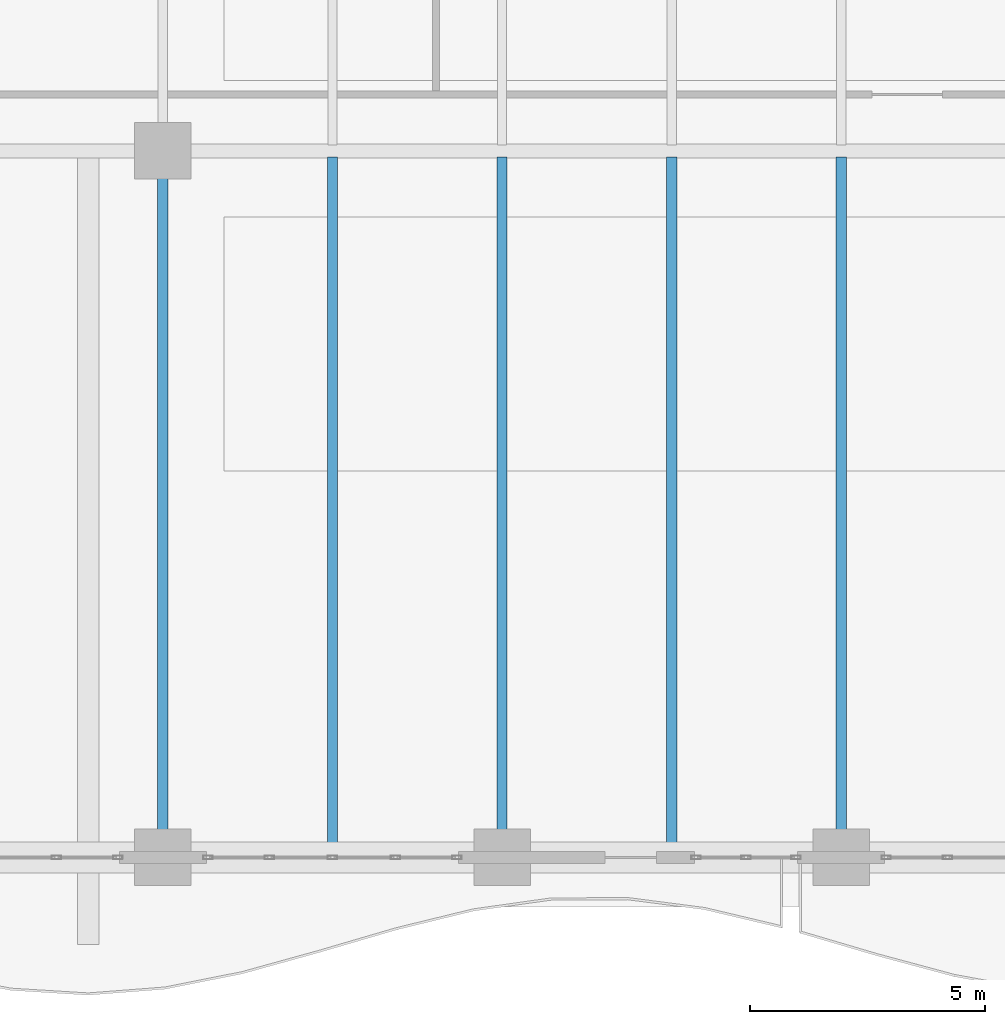
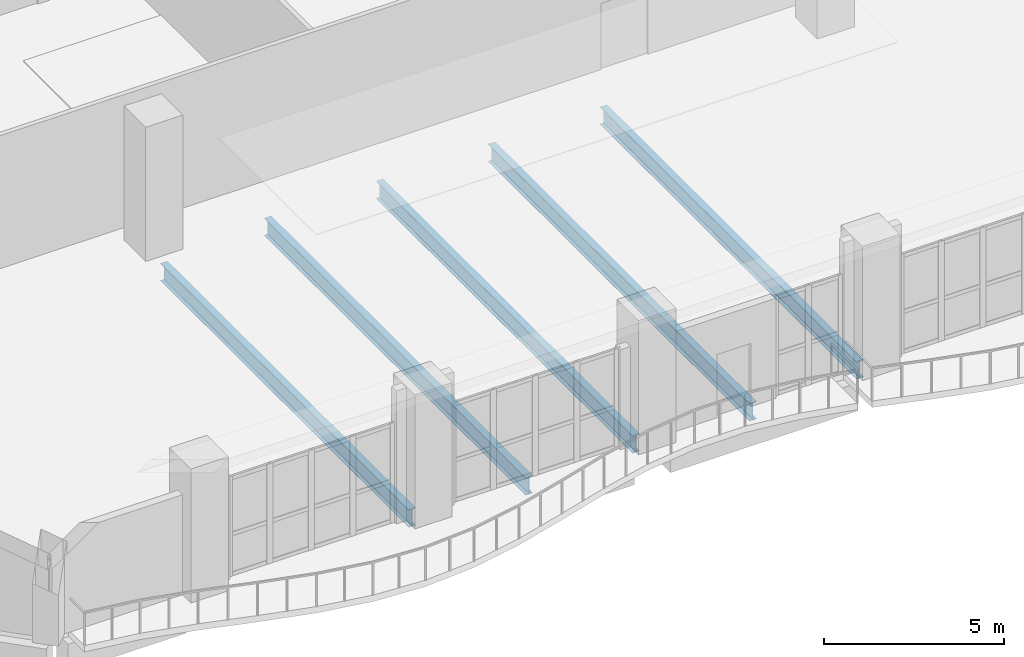
# One storey, part 6 of 37: 5 beams.
"""IFC4 building model written with IfcOpenShell, lengths in metres."""

from ifc_helpers import new_model, si_unit, direction, frame, origin, origin_2d, place, context, subcontext, project, spatial, i_section, extrude, material, material_profile, profile_set, type_object, element, save


model = new_model("IFC4")

# Units and contexts
model_context = context("Model", 3, precision=1e-05, world=origin(), true_north=direction((0.0, 1.0)))
body_context = subcontext(model_context, "Body", "Model", "MODEL_VIEW")
ifc_project = project(units=[si_unit("LENGTHUNIT", "METRE"), si_unit("AREAUNIT", "SQUARE_METRE"), si_unit("VOLUMEUNIT", "CUBIC_METRE"), si_unit("PLANEANGLEUNIT", "RADIAN"), si_unit("MASSUNIT", "GRAM", prefix="KILO")], contexts=[model_context])

# Site, building, storey
site_placement = place(None, origin())
site = spatial("IfcSite", under=ifc_project, at=site_placement, CompositionType="ELEMENT")
building_placement = place(site_placement, origin())
building = spatial("IfcBuilding", under=site, at=building_placement, Name="Kaelvorn Grand Hotel", CompositionType="ELEMENT")
storey_placement = place(building_placement, frame((0.0, 0.0, 130.550048828125)))
storey = spatial("IfcBuildingStorey", under=building, at=storey_placement, Name="L31", CompositionType="ELEMENT", Elevation=130.550048828125)

# Beams
ifc_material = material(Name="Steel S355", Category="steel")
ifc_material_profile = material_profile(ifc_material, i_section(OverallWidth=0.219970703125, OverallDepth=0.60009765625, WebThickness=0.011962890625, FlangeThickness=0.01904296875, FilletRadius=0.02392578125, at=origin_2d()), Name="IPE 600")
ifc_profile_set = profile_set([ifc_material_profile], Name="Steel S355")
beam_type = type_object("IfcBeamType", Name="BM-J-IPE600-S355", PredefinedType="JOIST", material=ifc_profile_set)
beam_1_placement = place(storey_placement, frame((16.199951171875, 0.5849609375, -0.5400390625), z_axis=(0.0, 1.0, 0.0), x_axis=(-1.0, 0.0, 0.0)))
element("IfcBeam", 1, at=beam_1_placement, inside=storey, type_object=beam_type, Name="L31 Composite Floor Joist JS-05", PredefinedType="JOIST", context=body_context, shape_type="SweptSolid", body=[
    extrude(i_section(OverallWidth=0.219970703125, OverallDepth=0.60009765625, WebThickness=0.011962890625, FlangeThickness=0.01904296875, FilletRadius=0.02392578125, at=origin_2d()), origin(), (0.0, 0.0, 1.0), 13.830078125),
])
beam_2_placement = place(storey_placement, frame((19.800048828125, 0.31005859375, -0.5400390625), z_axis=(0.0, 1.0, 0.0), x_axis=(-1.0, 0.0, 0.0)))
element("IfcBeam", 2, at=beam_2_placement, inside=storey, type_object=beam_type, Name="L31 Composite Floor Joist JS-06", PredefinedType="JOIST", context=body_context, shape_type="SweptSolid", body=[
    extrude(i_section(OverallWidth=0.219970703125, OverallDepth=0.60009765625, WebThickness=0.011962890625, FlangeThickness=0.01904296875, FilletRadius=0.02392578125, at=origin_2d()), origin(), (0.0, 0.0, 1.0), 14.558837890625),
])
beam_3_placement = place(storey_placement, frame((23.39990234375, 0.5849609375, -0.5400390625), z_axis=(0.0, 1.0, 0.0), x_axis=(-1.0, 0.0, 0.0)))
element("IfcBeam", 3, at=beam_3_placement, inside=storey, type_object=beam_type, Name="L31 Composite Floor Joist JS-07", PredefinedType="JOIST", context=body_context, shape_type="SweptSolid", body=[
    extrude(i_section(OverallWidth=0.219970703125, OverallDepth=0.60009765625, WebThickness=0.011962890625, FlangeThickness=0.01904296875, FilletRadius=0.02392578125, at=origin_2d()), origin(), (0.0, 0.0, 1.0), 14.283935546875),
])
beam_4_placement = place(storey_placement, frame((27.0, 0.31005859375, -0.5400390625), z_axis=(0.0, 1.0, 0.0), x_axis=(-1.0, 0.0, 0.0)))
element("IfcBeam", 4, at=beam_4_placement, inside=storey, type_object=beam_type, Name="L31 Composite Floor Joist JS-08", PredefinedType="JOIST", context=body_context, shape_type="SweptSolid", body=[
    extrude(i_section(OverallWidth=0.219970703125, OverallDepth=0.60009765625, WebThickness=0.011962890625, FlangeThickness=0.01904296875, FilletRadius=0.02392578125, at=origin_2d()), origin(), (0.0, 0.0, 1.0), 14.558837890625),
])
beam_5_placement = place(storey_placement, frame((30.60009765625, 0.5849609375, -0.5400390625), z_axis=(0.0, 1.0, 0.0), x_axis=(-1.0, 0.0, 0.0)))
element("IfcBeam", 5, at=beam_5_placement, inside=storey, type_object=beam_type, Name="L31 Composite Floor Joist JS-09", PredefinedType="JOIST", context=body_context, shape_type="SweptSolid", body=[
    extrude(i_section(OverallWidth=0.219970703125, OverallDepth=0.60009765625, WebThickness=0.011962890625, FlangeThickness=0.01904296875, FilletRadius=0.02392578125, at=origin_2d()), origin(), (0.0, 0.0, 1.0), 14.283935546875),
])

save(model, "model.ifc")
